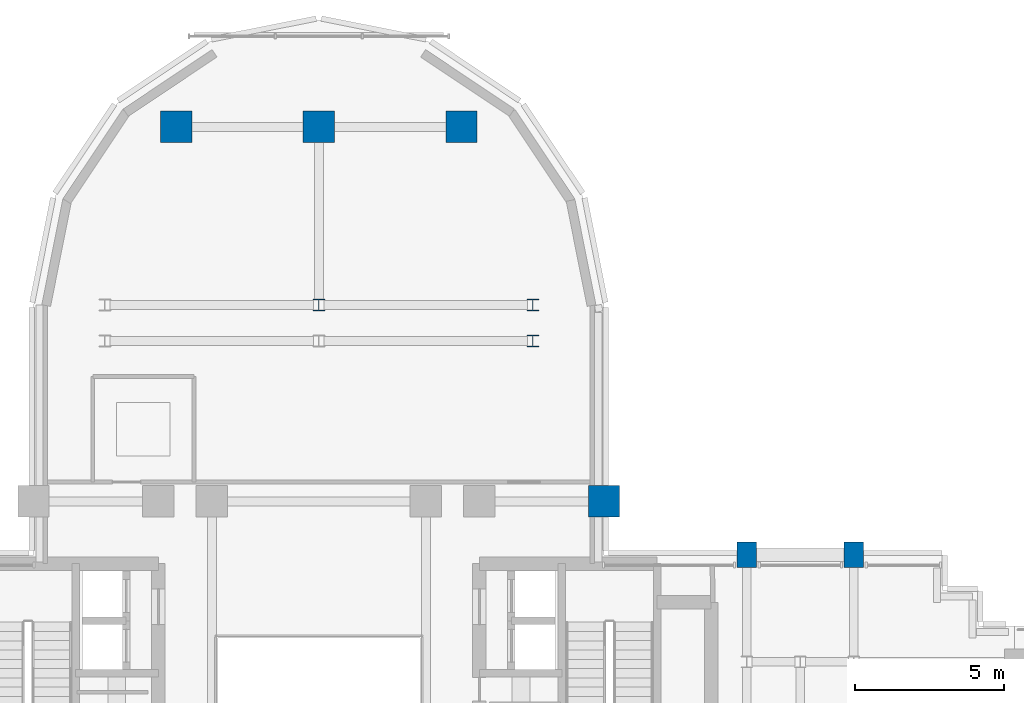
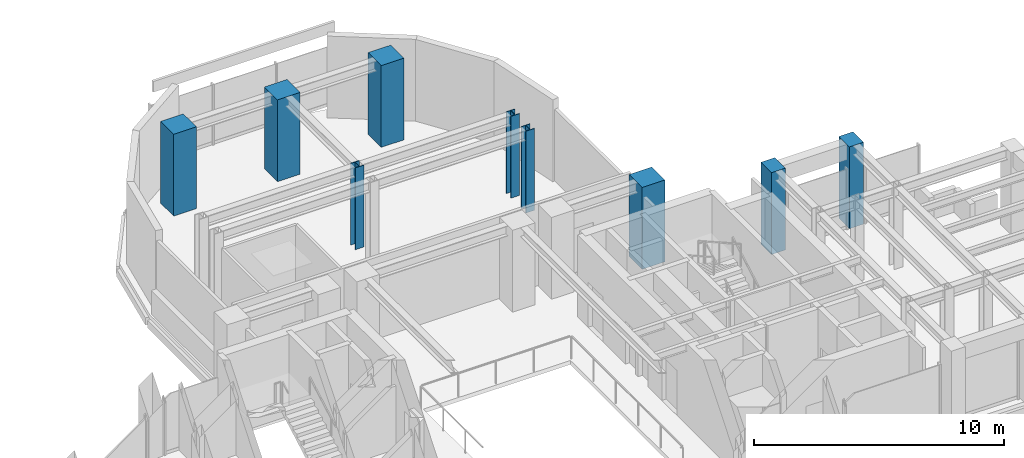
# One storey, part 2 of 16: 9 columns.
"""IFC4 building model written with IfcOpenShell, lengths in metres."""

from ifc_helpers import new_model, si_unit, direction, frame, origin, origin_2d, place, context, subcontext, project, spatial, rectangle, i_section, extrude, source, transform, mapped, material, material_profile, profile_set, type_object, element, save


model = new_model("IFC4")

# Units and contexts
model_context = context("Model", 3, precision=1e-05, world=origin(), true_north=direction((0.0, 1.0)))
body_context = subcontext(model_context, "Body", "Model", "MODEL_VIEW")
ifc_project = project(units=[si_unit("LENGTHUNIT", "METRE"), si_unit("AREAUNIT", "SQUARE_METRE"), si_unit("VOLUMEUNIT", "CUBIC_METRE"), si_unit("PLANEANGLEUNIT", "RADIAN"), si_unit("MASSUNIT", "GRAM", prefix="KILO")], contexts=[model_context])

# Site, building, storey
site_placement = place(None, origin())
site = spatial("IfcSite", under=ifc_project, at=site_placement, CompositionType="ELEMENT")
building_placement = place(site_placement, origin())
building = spatial("IfcBuilding", under=site, at=building_placement, Name="Keilestroom Media Tower", CompositionType="ELEMENT")
storey_placement = place(building_placement, frame((0.0, 0.0, 93.0)))
storey = spatial("IfcBuildingStorey", under=building, at=storey_placement, Name="L24", CompositionType="ELEMENT", Elevation=93.0)

# Columns
ifc_material_1 = material(Name="Precast concrete C40/50", Category="concrete")
ifc_material_profile_1 = material_profile(ifc_material_1, rectangle(XDim=0.64990234375, YDim=0.85009765625, at=origin_2d()), Name="PC 850x650")
ifc_profile_set_1 = profile_set([ifc_material_profile_1], Name="Precast concrete C40/50")
column_type_1 = type_object("IfcColumnType", Name="Structural-Column-PC-850x650", PredefinedType="COLUMN", material=ifc_profile_set_1)
shared_shape_1 = source(origin(), body_context, "Body", "SweptSolid", [
    extrude(rectangle(XDim=0.64990234375, YDim=0.85009765625, at=origin_2d()), origin(), (0.0, 0.0, 1.0), 4.0),
])
for number, where, z_axis, x_axis, name in (
    (1, (14.39990234375, 7.199951171875, 0.0), (0.0, 0.0, 1.0), (1.0, 0.0, 0.0), "L24 Column PC-2 (+14.4,+7.2)"),
    (2, (18.0, 7.199951171875, 0.0), (0.0, 0.0, 1.0), (1.0, 0.0, 0.0), "L24 Column PC-2 (+18.0,+7.2)"),
):
    element("IfcColumn", number, at=place(storey_placement, frame(where, z_axis=z_axis, x_axis=x_axis)), inside=storey, type_object=column_type_1, Name=name, PredefinedType="COLUMN", context=body_context, shape_type="MappedRepresentation", body=[
        mapped(shared_shape_1, transform((0.0, 0.0, 0.0), x_axis=(1.0, 0.0, 0.0), y_axis=(0.0, 1.0, 0.0), z_axis=(0.0, 0.0, 1.0), scale=1.0)),
    ])
ifc_material_2 = material(Name="Steel S355", Category="steel")
ifc_material_profile_2 = material_profile(ifc_material_2, i_section(OverallWidth=0.40087890625, OverallDepth=0.39892578125, WebThickness=0.02001953125, FlangeThickness=0.031982421875, at=origin_2d()), Name="HD 400x314")
ifc_profile_set_2 = profile_set([ifc_material_profile_2], Name="Steel S355")
column_type_2 = type_object("IfcColumnType", Name="Structural-Column-HD-400x314", PredefinedType="COLUMN", material=ifc_profile_set_2)
shared_shape_2 = source(origin(), body_context, "Body", "SweptSolid", [
    extrude(i_section(OverallWidth=0.40087890625, OverallDepth=0.39892578125, WebThickness=0.02001953125, FlangeThickness=0.031982421875, at=origin_2d()), origin(), (0.0, 0.0, 1.0), 4.0),
])
for number, where, z_axis, x_axis, name in (
    (3, (0.0, 15.60009765625, 0.0), (0.0, 0.0, 1.0), (1.0, 0.0, 0.0), "L24 Column SC-3 (+0.0,+15.6)"),
    (4, (7.199951171875, 14.39990234375, 0.0), (0.0, 0.0, 1.0), (1.0, 0.0, 0.0), "L24 Column SC-3 (+7.2,+14.4)"),
    (5, (7.199951171875, 15.60009765625, 0.0), (0.0, 0.0, 1.0), (1.0, 0.0, 0.0), "L24 Column SC-3 (+7.2,+15.6)"),
):
    element("IfcColumn", number, at=place(storey_placement, frame(where, z_axis=z_axis, x_axis=x_axis)), inside=storey, type_object=column_type_2, Name=name, PredefinedType="COLUMN", context=body_context, shape_type="MappedRepresentation", body=[
        mapped(shared_shape_2, transform((0.0, 0.0, 0.0), x_axis=(1.0, 0.0, 0.0), y_axis=(0.0, 1.0, 0.0), z_axis=(0.0, 0.0, 1.0), scale=1.0)),
    ])
ifc_material_3 = material(Name="Concrete C55/67", Category="concrete")
ifc_material_profile_3 = material_profile(ifc_material_3, rectangle(XDim=1.050048828125, YDim=1.050048828125, at=origin_2d()), Name="RC 1050x1050")
ifc_profile_set_3 = profile_set([ifc_material_profile_3], Name="Concrete C55/67")
column_type_3 = type_object("IfcColumnType", Name="Structural-Column-RC-1050x1050", PredefinedType="COLUMN", material=ifc_profile_set_3)
shared_shape_3 = source(origin(), body_context, "Body", "SweptSolid", [
    extrude(rectangle(XDim=1.050048828125, YDim=1.050048828125, at=origin_2d()), origin(), (0.0, 0.0, 1.0), 4.0),
])
for number, where, z_axis, x_axis, name in (
    (6, (-4.800048828125, 21.60009765625, 0.0), (0.0, 0.0, 1.0), (1.0, 0.0, 0.0), "L24 Column MC-3 (-4.8,+21.6)"),
    (7, (0.0, 21.60009765625, 0.0), (0.0, 0.0, 1.0), (1.0, 0.0, 0.0), "L24 Column MC-3 (+0.0,+21.6)"),
    (8, (4.800048828125, 21.60009765625, 0.0), (0.0, 0.0, 1.0), (1.0, 0.0, 0.0), "L24 Column MC-3 (+4.8,+21.6)"),
    (9, (9.60009765625, 9.0, 0.0), (0.0, 0.0, 1.0), (1.0, 0.0, 0.0), "L24 Column MC-3 (+9.6,+9.0)"),
):
    element("IfcColumn", number, at=place(storey_placement, frame(where, z_axis=z_axis, x_axis=x_axis)), inside=storey, type_object=column_type_3, Name=name, PredefinedType="COLUMN", context=body_context, shape_type="MappedRepresentation", body=[
        mapped(shared_shape_3, transform((0.0, 0.0, 0.0), x_axis=(1.0, 0.0, 0.0), y_axis=(0.0, 1.0, 0.0), z_axis=(0.0, 0.0, 1.0), scale=1.0)),
    ])

save(model, "model.ifc")
